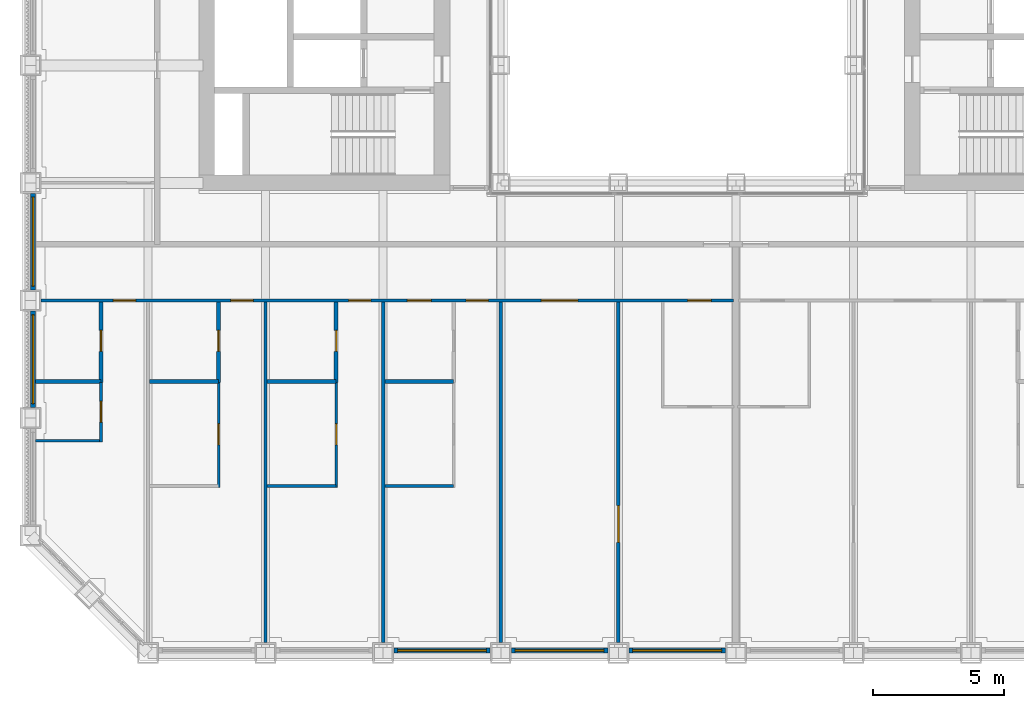
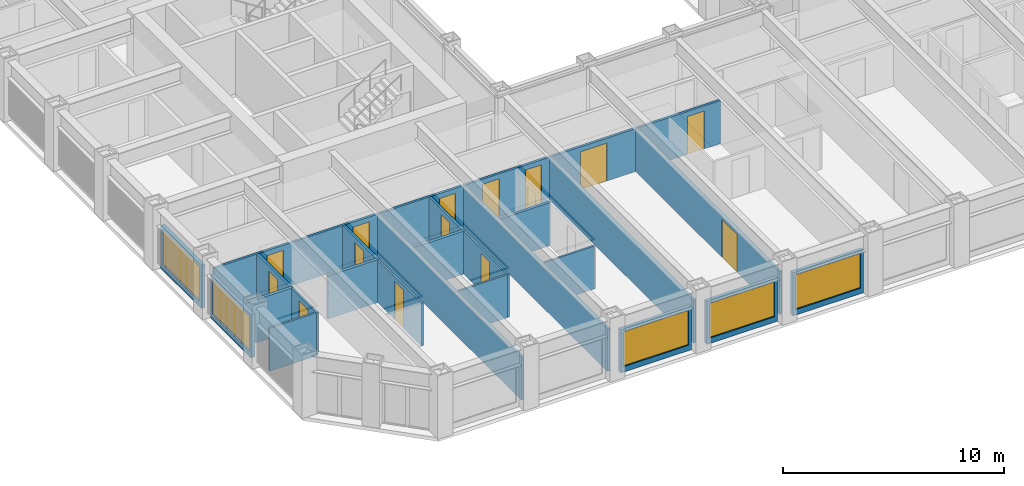
# One storey, part 9 of 21: 23 walls, 14 doors, 5 windows, 19 openings.
"""IFC4 building model written with IfcOpenShell, lengths in metres."""

from ifc_helpers import new_model, si_unit, direction, frame, frame_2d, origin, place, context, subcontext, project, spatial, rectangle, extrude, material, layer, layer_set, type_object, element, fill, save


model = new_model("IFC4")

# Units and contexts
model_context = context("Model", 3, precision=1e-05, world=origin(), true_north=direction((0.0, 1.0)))
body_context = subcontext(model_context, "Body", "Model", "MODEL_VIEW")
ifc_project = project(units=[si_unit("LENGTHUNIT", "METRE"), si_unit("AREAUNIT", "SQUARE_METRE"), si_unit("VOLUMEUNIT", "CUBIC_METRE"), si_unit("PLANEANGLEUNIT", "RADIAN"), si_unit("MASSUNIT", "GRAM", prefix="KILO")], contexts=[model_context])

# Site, building, storey
site_placement = place(None, origin())
site = spatial("IfcSite", under=ifc_project, at=site_placement, CompositionType="ELEMENT")
building_placement = place(site_placement, origin())
building = spatial("IfcBuilding", under=site, at=building_placement, Name="Msasa Ring Tower", CompositionType="ELEMENT")
storey_placement = place(building_placement, frame((0.0, 0.0, 86.0)))
storey = spatial("IfcBuildingStorey", under=building, at=storey_placement, Name="L22", CompositionType="ELEMENT", Elevation=86.0)

# Wall, opening, window
ifc_material_1 = material(Name="Terracotta rainscreen on blockwork", Category="masonry")
ifc_layer_1 = layer(ifc_material_1, 0.199951171875)
ifc_layer_set_1 = layer_set([ifc_layer_1], Name="FW1 TERRACOTTA-LINED INFILL BAY WALL 200")
wall_type_1 = type_object("IfcWallType", Name="FW1 TERRACOTTA-LINED INFILL BAY WALL 200", PredefinedType="SOLIDWALL", material=ifc_layer_set_1)
wall_1_placement = place(storey_placement, frame((-10.844970703125, -24.64990234375, 0.0), z_axis=(0.0, 0.0, 1.0), x_axis=(1.0, 0.0, 0.0)))
wall_1 = element("IfcWall", 1, at=wall_1_placement, inside=storey, type_object=wall_type_1, Name="Infill bay wall S L22 02", PredefinedType="SOLIDWALL", context=body_context, shape_type="SweptSolid", body=[
    extrude(rectangle(XDim=3.68994140625, YDim=0.199951171875, at=frame_2d((1.844970703125, 0.0))), origin(), (0.0, 0.0, 1.0), 2.37890625),
])
opening_1_placement = place(wall_1_placement, frame((0.14501953125, 0.0, 0.300048828125)))
opening_1 = element("IfcOpeningElement", 2, at=opening_1_placement, cuts=wall_1, Name="Opening WN1", PredefinedType="OPENING", context=body_context, shape_type="SweptSolid", body=[
    extrude(rectangle(XDim=3.39990234375, YDim=1.928955078125, at=frame_2d((1.699951171875, 0.96435546875))), frame((0.0, 0.10986328125, 0.0), z_axis=(0.0, -1.0, 0.0), x_axis=(1.0, 0.0, 0.0)), (0.0, 0.0, 1.0), 0.219970703125),
])
ifc_material_2 = material(Name="Aluminium frame with clear glass", Category="aluminium")
window_type = type_object("IfcWindowType", Name="WN1 RESIDENCE WINDOW 3400x1929", PartitioningType="SINGLE_PANEL", PredefinedType="WINDOW", material=ifc_material_2)
window_1_placement = place(opening_1_placement, origin())
window_1 = element("IfcWindow", 3, at=window_1_placement, inside=storey, type_object=window_type, Name="Window S L22 02", OverallHeight=1.928955078125, OverallWidth=3.39990234375, PartitioningType="SINGLE_PANEL", PredefinedType="WINDOW", context=body_context, shape_type="SweptSolid", body=[
    extrude(rectangle(XDim=3.39990234375, YDim=1.928955078125, at=frame_2d((1.699951171875, 0.96435546875))), frame((0.0, 0.030029296875, 0.0), z_axis=(0.0, -1.0, 0.0), x_axis=(1.0, 0.0, 0.0)), (0.0, 0.0, 1.0), 0.06005859375),
])
fill(opening_1, window_1)

wall_2_placement = place(storey_placement, frame((-6.344970703125, -24.64990234375, 0.0), z_axis=(0.0, 0.0, 1.0), x_axis=(1.0, 0.0, 0.0)))
wall_2 = element("IfcWall", 4, at=wall_2_placement, inside=storey, type_object=wall_type_1, Name="Infill bay wall S L22 03", PredefinedType="SOLIDWALL", context=body_context, shape_type="SweptSolid", body=[
    extrude(rectangle(XDim=3.68994140625, YDim=0.199951171875, at=frame_2d((1.844970703125, 0.0))), origin(), (0.0, 0.0, 1.0), 2.37890625),
])
opening_2_placement = place(wall_2_placement, frame((0.14501953125, 0.0, 0.300048828125)))
opening_2 = element("IfcOpeningElement", 5, at=opening_2_placement, cuts=wall_2, Name="Opening WN1", PredefinedType="OPENING", context=body_context, shape_type="SweptSolid", body=[
    extrude(rectangle(XDim=3.39990234375, YDim=1.928955078125, at=frame_2d((1.699951171875, 0.96435546875))), frame((0.0, 0.10986328125, 0.0), z_axis=(0.0, -1.0, 0.0), x_axis=(1.0, 0.0, 0.0)), (0.0, 0.0, 1.0), 0.219970703125),
])
window_2_placement = place(opening_2_placement, origin())
window_2 = element("IfcWindow", 6, at=window_2_placement, inside=storey, type_object=window_type, Name="Window S L22 03", OverallHeight=1.928955078125, OverallWidth=3.39990234375, PartitioningType="SINGLE_PANEL", PredefinedType="WINDOW", context=body_context, shape_type="SweptSolid", body=[
    extrude(rectangle(XDim=3.39990234375, YDim=1.928955078125, at=frame_2d((1.699951171875, 0.96435546875))), frame((0.0, 0.030029296875, 0.0), z_axis=(0.0, -1.0, 0.0), x_axis=(1.0, 0.0, 0.0)), (0.0, 0.0, 1.0), 0.06005859375),
])
fill(opening_2, window_2)

wall_3_placement = place(storey_placement, frame((-1.844970703125, -24.64990234375, 0.0), z_axis=(0.0, 0.0, 1.0), x_axis=(1.0, 0.0, 0.0)))
wall_3 = element("IfcWall", 7, at=wall_3_placement, inside=storey, type_object=wall_type_1, Name="Infill bay wall S L22 04", PredefinedType="SOLIDWALL", context=body_context, shape_type="SweptSolid", body=[
    extrude(rectangle(XDim=3.68994140625, YDim=0.199951171875, at=frame_2d((1.844970703125, 0.0))), origin(), (0.0, 0.0, 1.0), 2.37890625),
])
opening_3_placement = place(wall_3_placement, frame((0.14501953125, 0.0, 0.300048828125)))
opening_3 = element("IfcOpeningElement", 8, at=opening_3_placement, cuts=wall_3, Name="Opening WN1", PredefinedType="OPENING", context=body_context, shape_type="SweptSolid", body=[
    extrude(rectangle(XDim=3.39990234375, YDim=1.928955078125, at=frame_2d((1.699951171875, 0.96435546875))), frame((0.0, 0.10986328125, 0.0), z_axis=(0.0, -1.0, 0.0), x_axis=(1.0, 0.0, 0.0)), (0.0, 0.0, 1.0), 0.219970703125),
])
window_3_placement = place(opening_3_placement, origin())
window_3 = element("IfcWindow", 9, at=window_3_placement, inside=storey, type_object=window_type, Name="Window S L22 04", OverallHeight=1.928955078125, OverallWidth=3.39990234375, PartitioningType="SINGLE_PANEL", PredefinedType="WINDOW", context=body_context, shape_type="SweptSolid", body=[
    extrude(rectangle(XDim=3.39990234375, YDim=1.928955078125, at=frame_2d((1.699951171875, 0.96435546875))), frame((0.0, 0.030029296875, 0.0), z_axis=(0.0, -1.0, 0.0), x_axis=(1.0, 0.0, 0.0)), (0.0, 0.0, 1.0), 0.06005859375),
])
fill(opening_3, window_3)

wall_4_placement = place(storey_placement, frame((-24.64990234375, -15.344970703125, 0.0), z_axis=(0.0, 0.0, 1.0), x_axis=(0.0, 1.0, 0.0)))
wall_4 = element("IfcWall", 10, at=wall_4_placement, inside=storey, type_object=wall_type_1, Name="Infill bay wall W L22 34", PredefinedType="SOLIDWALL", context=body_context, shape_type="SweptSolid", body=[
    extrude(rectangle(XDim=3.68994140625, YDim=0.199951171875, at=frame_2d((1.844970703125, 0.0))), origin(), (0.0, 0.0, 1.0), 2.37890625),
])
opening_4_placement = place(wall_4_placement, frame((0.14501953125, 0.0, 0.300048828125)))
opening_4 = element("IfcOpeningElement", 11, at=opening_4_placement, cuts=wall_4, Name="Opening WN1", PredefinedType="OPENING", context=body_context, shape_type="SweptSolid", body=[
    extrude(rectangle(XDim=3.39990234375, YDim=1.928955078125, at=frame_2d((1.699951171875, 0.96435546875))), frame((0.0, 0.10986328125, 0.0), z_axis=(0.0, -1.0, 0.0), x_axis=(1.0, 0.0, 0.0)), (0.0, 0.0, 1.0), 0.219970703125),
])
window_4_placement = place(opening_4_placement, origin())
window_4 = element("IfcWindow", 12, at=window_4_placement, inside=storey, type_object=window_type, Name="Window W L22 34", OverallHeight=1.928955078125, OverallWidth=3.39990234375, PartitioningType="SINGLE_PANEL", PredefinedType="WINDOW", context=body_context, shape_type="SweptSolid", body=[
    extrude(rectangle(XDim=3.39990234375, YDim=1.928955078125, at=frame_2d((1.699951171875, 0.96435546875))), frame((0.0, 0.030029296875, 0.0), z_axis=(0.0, -1.0, 0.0), x_axis=(1.0, 0.0, 0.0)), (0.0, 0.0, 1.0), 0.06005859375),
])
fill(opening_4, window_4)

wall_5_placement = place(storey_placement, frame((-24.64990234375, -10.844970703125, 0.0), z_axis=(0.0, 0.0, 1.0), x_axis=(0.0, 1.0, 0.0)))
wall_5 = element("IfcWall", 13, at=wall_5_placement, inside=storey, type_object=wall_type_1, Name="Infill bay wall W L22 35", PredefinedType="SOLIDWALL", context=body_context, shape_type="SweptSolid", body=[
    extrude(rectangle(XDim=3.68994140625, YDim=0.199951171875, at=frame_2d((1.844970703125, 0.0))), origin(), (0.0, 0.0, 1.0), 2.37890625),
])
opening_5_placement = place(wall_5_placement, frame((0.14501953125, 0.0, 0.300048828125)))
opening_5 = element("IfcOpeningElement", 14, at=opening_5_placement, cuts=wall_5, Name="Opening WN1", PredefinedType="OPENING", context=body_context, shape_type="SweptSolid", body=[
    extrude(rectangle(XDim=3.39990234375, YDim=1.928955078125, at=frame_2d((1.699951171875, 0.96435546875))), frame((0.0, 0.10986328125, 0.0), z_axis=(0.0, -1.0, 0.0), x_axis=(1.0, 0.0, 0.0)), (0.0, 0.0, 1.0), 0.219970703125),
])
window_5_placement = place(opening_5_placement, origin())
window_5 = element("IfcWindow", 15, at=window_5_placement, inside=storey, type_object=window_type, Name="Window W L22 35", OverallHeight=1.928955078125, OverallWidth=3.39990234375, PartitioningType="SINGLE_PANEL", PredefinedType="WINDOW", context=body_context, shape_type="SweptSolid", body=[
    extrude(rectangle(XDim=3.39990234375, YDim=1.928955078125, at=frame_2d((1.699951171875, 0.96435546875))), frame((0.0, 0.030029296875, 0.0), z_axis=(0.0, -1.0, 0.0), x_axis=(1.0, 0.0, 0.0)), (0.0, 0.0, 1.0), 0.06005859375),
])
fill(opening_5, window_5)

# Wall
ifc_material_3 = material(Name="Gypsum board on steel studs", Category="steel")
ifc_layer_2 = layer(ifc_material_3, 0.10009765625)
ifc_layer_set_2 = layer_set([ifc_layer_2], Name="PT2 STUD PARTITION 100")
wall_type_2 = type_object("IfcWallType", Name="PT2 STUD PARTITION 100", PredefinedType="PARTITIONING", material=ifc_layer_set_2)
wall_6_placement = place(storey_placement, frame((-11.18994140625, -18.35302734375, 0.0), z_axis=(0.0, 0.0, 1.0), x_axis=(1.0, 0.0, 0.0)))
element("IfcWall", 16, at=wall_6_placement, inside=storey, type_object=wall_type_2, Name="Partition L22-VSWWY1", PredefinedType="PARTITIONING", context=body_context, shape_type="SweptSolid", body=[
    extrude(rectangle(XDim=2.639892578125, YDim=0.10009765625, at=frame_2d((1.31982421875, 0.0))), origin(), (0.0, 0.0, 1.0), 2.373291015625),
])

# Wall, opening, door
wall_7_placement = place(storey_placement, frame((-13.050048828125, -18.403076171875, 0.0), z_axis=(0.0, 0.0, 1.0), x_axis=(0.0, 1.0, 0.0)))
wall_7 = element("IfcWall", 17, at=wall_7_placement, inside=storey, type_object=wall_type_2, Name="Partition L22-VSWWX2", PredefinedType="PARTITIONING", context=body_context, shape_type="SweptSolid", body=[
    extrude(rectangle(XDim=4.003173828125, YDim=0.10009765625, at=frame_2d((2.00146484375, 0.0))), origin(), (0.0, 0.0, 1.0), 2.373291015625),
])
opening_6_placement = place(wall_7_placement, frame((1.626708984375, 0.0, 0.0)))
opening_6 = element("IfcOpeningElement", 18, at=opening_6_placement, cuts=wall_7, Name="Opening RF-081", PredefinedType="OPENING", context=body_context, shape_type="SweptSolid", body=[
    extrude(rectangle(XDim=0.800048828125, YDim=2.10009765625, at=frame_2d((0.39990234375, 1.050048828125))), frame((0.0, 0.06005859375, 0.0), z_axis=(0.0, -1.0, 0.0), x_axis=(1.0, 0.0, 0.0)), (0.0, 0.0, 1.0), 0.1201171875),
])
ifc_material_4 = material(Name="Timber door leaf in a steel frame", Category="steel")
door_type_1 = type_object("IfcDoorType", Name="D60 DRESSING ROOM DOOR 800x2100", OperationType="SINGLE_SWING_LEFT", PredefinedType="DOOR", material=ifc_material_4)
door_1_placement = place(opening_6_placement, origin())
door_1 = element("IfcDoor", 19, at=door_1_placement, inside=storey, type_object=door_type_1, Name="Door L22-VSWW2", OperationType="SINGLE_SWING_LEFT", OverallHeight=2.10009765625, OverallWidth=0.800048828125, PredefinedType="DOOR", context=body_context, shape_type="SweptSolid", body=[
    extrude(rectangle(XDim=0.800048828125, YDim=2.10009765625, at=frame_2d((0.39990234375, 1.050048828125))), frame((0.0, 0.02490234375, 0.0), z_axis=(0.0, -1.0, 0.0), x_axis=(1.0, 0.0, 0.0)), (0.0, 0.0, 1.0), 0.050048828125),
])
fill(opening_6, door_1)

# Wall
wall_8_placement = place(storey_placement, frame((-15.68994140625, -18.35302734375, 0.0), z_axis=(0.0, 0.0, 1.0), x_axis=(1.0, 0.0, 0.0)))
element("IfcWall", 20, at=wall_8_placement, inside=storey, type_object=wall_type_2, Name="Partition L22-VSWWY2", PredefinedType="PARTITIONING", context=body_context, shape_type="SweptSolid", body=[
    extrude(rectangle(XDim=2.639892578125, YDim=0.10009765625, at=frame_2d((1.31982421875, 0.0))), origin(), (0.0, 0.0, 1.0), 2.373291015625),
])

# Wall, opening, door
wall_9_placement = place(storey_placement, frame((-17.550048828125, -18.400390625, 0.0), z_axis=(0.0, 0.0, 1.0), x_axis=(0.0, 1.0, 0.0)))
wall_9 = element("IfcWall", 21, at=wall_9_placement, inside=storey, type_object=wall_type_2, Name="Partition L22-VSWWX3", PredefinedType="PARTITIONING", context=body_context, shape_type="SweptSolid", body=[
    extrude(rectangle(XDim=4.00048828125, YDim=0.10009765625, at=frame_2d((2.000244140625, 0.0))), origin(), (0.0, 0.0, 1.0), 2.373291015625),
])
opening_7_placement = place(wall_9_placement, frame((1.625244140625, 0.0, 0.0)))
opening_7 = element("IfcOpeningElement", 22, at=opening_7_placement, cuts=wall_9, Name="Opening RF-080", PredefinedType="OPENING", context=body_context, shape_type="SweptSolid", body=[
    extrude(rectangle(XDim=0.800048828125, YDim=2.10009765625, at=frame_2d((0.39990234375, 1.050048828125))), frame((0.0, 0.06005859375, 0.0), z_axis=(0.0, -1.0, 0.0), x_axis=(1.0, 0.0, 0.0)), (0.0, 0.0, 1.0), 0.1201171875),
])
door_2_placement = place(opening_7_placement, origin())
door_2 = element("IfcDoor", 23, at=door_2_placement, inside=storey, type_object=door_type_1, Name="Door L22-VSWW3", OperationType="SINGLE_SWING_LEFT", OverallHeight=2.10009765625, OverallWidth=0.800048828125, PredefinedType="DOOR", context=body_context, shape_type="SweptSolid", body=[
    extrude(rectangle(XDim=0.800048828125, YDim=2.10009765625, at=frame_2d((0.39990234375, 1.050048828125))), frame((0.0, 0.02490234375, 0.0), z_axis=(0.0, -1.0, 0.0), x_axis=(1.0, 0.0, 0.0)), (0.0, 0.0, 1.0), 0.050048828125),
])
fill(opening_7, door_2)

wall_10_placement = place(storey_placement, frame((-22.050048828125, -16.673583984375, 0.0), z_axis=(0.0, 0.0, 1.0), x_axis=(0.0, 1.0, 0.0)))
wall_10 = element("IfcWall", 24, at=wall_10_placement, inside=storey, type_object=wall_type_2, Name="Partition L22-VSWWX4", PredefinedType="PARTITIONING", context=body_context, shape_type="SweptSolid", body=[
    extrude(rectangle(XDim=2.273681640625, YDim=0.10009765625, at=frame_2d((1.13671875, 0.0))), origin(), (0.0, 0.0, 1.0), 2.373291015625),
])
opening_8_placement = place(wall_10_placement, frame((0.76171875, 0.0, 0.0)))
opening_8 = element("IfcOpeningElement", 25, at=opening_8_placement, cuts=wall_10, Name="Opening RF-078", PredefinedType="OPENING", context=body_context, shape_type="SweptSolid", body=[
    extrude(rectangle(XDim=0.800048828125, YDim=2.10009765625, at=frame_2d((0.39990234375, 1.050048828125))), frame((0.0, 0.06005859375, 0.0), z_axis=(0.0, -1.0, 0.0), x_axis=(1.0, 0.0, 0.0)), (0.0, 0.0, 1.0), 0.1201171875),
])
door_3_placement = place(opening_8_placement, origin())
door_3 = element("IfcDoor", 26, at=door_3_placement, inside=storey, type_object=door_type_1, Name="Door L22-VSWW4", OperationType="SINGLE_SWING_LEFT", OverallHeight=2.10009765625, OverallWidth=0.800048828125, PredefinedType="DOOR", context=body_context, shape_type="SweptSolid", body=[
    extrude(rectangle(XDim=0.800048828125, YDim=2.10009765625, at=frame_2d((0.39990234375, 1.050048828125))), frame((0.0, 0.02490234375, 0.0), z_axis=(0.0, -1.0, 0.0), x_axis=(1.0, 0.0, 0.0)), (0.0, 0.0, 1.0), 0.050048828125),
])
fill(opening_8, door_3)

# Walls
wall_11_placement = place(storey_placement, frame((-24.550048828125, -16.62353515625, 0.0), z_axis=(0.0, 0.0, 1.0), x_axis=(1.0, 0.0, 0.0)))
element("IfcWall", 27, at=wall_11_placement, inside=storey, type_object=wall_type_2, Name="Partition L22-VSWWY4", PredefinedType="PARTITIONING", context=body_context, shape_type="SweptSolid", body=[
    extrude(rectangle(XDim=2.5, YDim=0.10009765625, at=frame_2d((1.25, 0.0))), origin(), (0.0, 0.0, 1.0), 2.373291015625),
])
ifc_material_5 = material(Name="Moisture-resistant board on steel studs with a concealed cistern and pipe void, tiled", Category="steel")
ifc_layer_3 = layer(ifc_material_5, 0.14990234375)
ifc_layer_set_3 = layer_set([ifc_layer_3], Name="PT4 BATHROOM WET WALL 150")
wall_type_3 = type_object("IfcWallType", Name="PT4 BATHROOM WET WALL 150", PredefinedType="PARTITIONING", material=ifc_layer_set_3)
wall_12_placement = place(storey_placement, frame((-11.18994140625, -14.35009765625, 0.0), z_axis=(0.0, 0.0, 1.0), x_axis=(1.0, 0.0, 0.0)))
element("IfcWall", 28, at=wall_12_placement, inside=storey, type_object=wall_type_3, Name="Partition L22-VSWBY1", PredefinedType="PARTITIONING", context=body_context, shape_type="SweptSolid", body=[
    extrude(rectangle(XDim=2.639892578125, YDim=0.14990234375, at=frame_2d((1.31982421875, 0.0))), origin(), (0.0, 0.0, 1.0), 2.373291015625),
])

# Wall, opening, door
wall_13_placement = place(storey_placement, frame((-13.050048828125, -14.39990234375, 0.0), z_axis=(0.0, 0.0, 1.0), x_axis=(0.0, 1.0, 0.0)))
wall_13 = element("IfcWall", 29, at=wall_13_placement, inside=storey, type_object=wall_type_3, Name="Partition L22-VSWBX2", PredefinedType="PARTITIONING", context=body_context, shape_type="SweptSolid", body=[
    extrude(rectangle(XDim=3.08740234375, YDim=0.14990234375, at=frame_2d((1.543701171875, 0.0))), origin(), (0.0, 0.0, 1.0), 2.373291015625),
])
opening_9_placement = place(wall_13_placement, frame((1.199951171875, 0.0, 0.0)))
opening_9 = element("IfcOpeningElement", 30, at=opening_9_placement, cuts=wall_13, Name="Opening RF-071", PredefinedType="OPENING", context=body_context, shape_type="SweptSolid", body=[
    extrude(rectangle(XDim=0.800048828125, YDim=2.10009765625, at=frame_2d((0.39990234375, 1.050048828125))), frame((0.0, 0.0849609375, 0.0), z_axis=(0.0, -1.0, 0.0), x_axis=(1.0, 0.0, 0.0)), (0.0, 0.0, 1.0), 0.169921875),
])
ifc_material_6 = material(Name="Timber door leaf in a steel frame", Category="steel")
door_type_2 = type_object("IfcDoorType", Name="D21 POCKET SLIDING BATHROOM DOOR 800x2100", OperationType="SINGLE_SWING_LEFT", PredefinedType="DOOR", material=ifc_material_6)
door_4_placement = place(opening_9_placement, origin())
door_4 = element("IfcDoor", 31, at=door_4_placement, inside=storey, type_object=door_type_2, Name="Door L22-VSWB2", OperationType="SINGLE_SWING_RIGHT", OverallHeight=2.10009765625, OverallWidth=0.800048828125, PredefinedType="DOOR", context=body_context, shape_type="SweptSolid", body=[
    extrude(rectangle(XDim=0.800048828125, YDim=2.10009765625, at=frame_2d((0.39990234375, 1.050048828125))), frame((0.0, 0.02490234375, 0.0), z_axis=(0.0, -1.0, 0.0), x_axis=(1.0, 0.0, 0.0)), (0.0, 0.0, 1.0), 0.050048828125),
])
fill(opening_9, door_4)

# Wall
wall_14_placement = place(storey_placement, frame((-15.68994140625, -14.35009765625, 0.0), z_axis=(0.0, 0.0, 1.0), x_axis=(1.0, 0.0, 0.0)))
element("IfcWall", 32, at=wall_14_placement, inside=storey, type_object=wall_type_3, Name="Partition L22-VSWBY2", PredefinedType="PARTITIONING", context=body_context, shape_type="SweptSolid", body=[
    extrude(rectangle(XDim=2.639892578125, YDim=0.14990234375, at=frame_2d((1.31982421875, 0.0))), origin(), (0.0, 0.0, 1.0), 2.373291015625),
])

# Wall, opening, door
wall_15_placement = place(storey_placement, frame((-17.550048828125, -14.39990234375, 0.0), z_axis=(0.0, 0.0, 1.0), x_axis=(0.0, 1.0, 0.0)))
wall_15 = element("IfcWall", 33, at=wall_15_placement, inside=storey, type_object=wall_type_3, Name="Partition L22-VSWBX3", PredefinedType="PARTITIONING", context=body_context, shape_type="SweptSolid", body=[
    extrude(rectangle(XDim=3.08740234375, YDim=0.14990234375, at=frame_2d((1.543701171875, 0.0))), origin(), (0.0, 0.0, 1.0), 2.373291015625),
])
opening_10_placement = place(wall_15_placement, frame((1.199951171875, 0.0, 0.0)))
opening_10 = element("IfcOpeningElement", 34, at=opening_10_placement, cuts=wall_15, Name="Opening RF-070", PredefinedType="OPENING", context=body_context, shape_type="SweptSolid", body=[
    extrude(rectangle(XDim=0.800048828125, YDim=2.10009765625, at=frame_2d((0.39990234375, 1.050048828125))), frame((0.0, 0.0849609375, 0.0), z_axis=(0.0, -1.0, 0.0), x_axis=(1.0, 0.0, 0.0)), (0.0, 0.0, 1.0), 0.169921875),
])
door_5_placement = place(opening_10_placement, origin())
door_5 = element("IfcDoor", 35, at=door_5_placement, inside=storey, type_object=door_type_2, Name="Door L22-VSWB3", OperationType="SINGLE_SWING_RIGHT", OverallHeight=2.10009765625, OverallWidth=0.800048828125, PredefinedType="DOOR", context=body_context, shape_type="SweptSolid", body=[
    extrude(rectangle(XDim=0.800048828125, YDim=2.10009765625, at=frame_2d((0.39990234375, 1.050048828125))), frame((0.0, 0.02490234375, 0.0), z_axis=(0.0, -1.0, 0.0), x_axis=(1.0, 0.0, 0.0)), (0.0, 0.0, 1.0), 0.050048828125),
])
fill(opening_10, door_5)

# Wall
wall_16_placement = place(storey_placement, frame((-20.18994140625, -14.35009765625, 0.0), z_axis=(0.0, 0.0, 1.0), x_axis=(1.0, 0.0, 0.0)))
element("IfcWall", 36, at=wall_16_placement, inside=storey, type_object=wall_type_3, Name="Partition L22-VSWBY3", PredefinedType="PARTITIONING", context=body_context, shape_type="SweptSolid", body=[
    extrude(rectangle(XDim=2.639892578125, YDim=0.14990234375, at=frame_2d((1.31982421875, 0.0))), origin(), (0.0, 0.0, 1.0), 2.373291015625),
])

# Wall, opening, door
wall_17_placement = place(storey_placement, frame((-22.050048828125, -14.39990234375, 0.0), z_axis=(0.0, 0.0, 1.0), x_axis=(0.0, 1.0, 0.0)))
wall_17 = element("IfcWall", 37, at=wall_17_placement, inside=storey, type_object=wall_type_3, Name="Partition L22-VSWBX4", PredefinedType="PARTITIONING", context=body_context, shape_type="SweptSolid", body=[
    extrude(rectangle(XDim=3.08740234375, YDim=0.14990234375, at=frame_2d((1.543701171875, 0.0))), origin(), (0.0, 0.0, 1.0), 2.373291015625),
])
opening_11_placement = place(wall_17_placement, frame((1.199951171875, 0.0, 0.0)))
opening_11 = element("IfcOpeningElement", 38, at=opening_11_placement, cuts=wall_17, Name="Opening RF-069", PredefinedType="OPENING", context=body_context, shape_type="SweptSolid", body=[
    extrude(rectangle(XDim=0.800048828125, YDim=2.10009765625, at=frame_2d((0.39990234375, 1.050048828125))), frame((0.0, 0.0849609375, 0.0), z_axis=(0.0, -1.0, 0.0), x_axis=(1.0, 0.0, 0.0)), (0.0, 0.0, 1.0), 0.169921875),
])
door_6_placement = place(opening_11_placement, origin())
door_6 = element("IfcDoor", 39, at=door_6_placement, inside=storey, type_object=door_type_2, Name="Door L22-VSWB4", OperationType="SINGLE_SWING_RIGHT", OverallHeight=2.10009765625, OverallWidth=0.800048828125, PredefinedType="DOOR", context=body_context, shape_type="SweptSolid", body=[
    extrude(rectangle(XDim=0.800048828125, YDim=2.10009765625, at=frame_2d((0.39990234375, 1.050048828125))), frame((0.0, 0.02490234375, 0.0), z_axis=(0.0, -1.0, 0.0), x_axis=(1.0, 0.0, 0.0)), (0.0, 0.0, 1.0), 0.050048828125),
])
fill(opening_11, door_6)

# Wall
wall_18_placement = place(storey_placement, frame((-24.550048828125, -14.35009765625, 0.0), z_axis=(0.0, 0.0, 1.0), x_axis=(1.0, 0.0, 0.0)))
element("IfcWall", 40, at=wall_18_placement, inside=storey, type_object=wall_type_3, Name="Partition L22-VSWBY4", PredefinedType="PARTITIONING", context=body_context, shape_type="SweptSolid", body=[
    extrude(rectangle(XDim=2.5, YDim=0.14990234375, at=frame_2d((1.25, 0.0))), origin(), (0.0, 0.0, 1.0), 2.373291015625),
])

# Wall, openings, doors
ifc_material_7 = material(Name="Two layers of acoustic board each face on steel studs, mineral wool", Category="steel")
ifc_layer_4 = layer(ifc_material_7, 0.125)
ifc_layer_set_4 = layer_set([ifc_layer_4], Name="PT6 ACOUSTIC DOUBLE-BOARD PARTITION 125")
wall_type_4 = type_object("IfcWallType", Name="PT6 ACOUSTIC DOUBLE-BOARD PARTITION 125", PredefinedType="PARTITIONING", material=ifc_layer_set_4)
wall_19_placement = place(storey_placement, frame((-24.35009765625, -11.25, 0.0), z_axis=(0.0, 0.0, 1.0), x_axis=(1.0, 0.0, 0.0)))
wall_19 = element("IfcWall", 41, at=wall_19_placement, inside=storey, type_object=wall_type_4, Name="Partition L22-VSWHY", PredefinedType="PARTITIONING", context=body_context, shape_type="SweptSolid", body=[
    extrude(rectangle(XDim=26.5, YDim=0.125, at=frame_2d((13.25, 0.0))), origin(), (0.0, 0.0, 1.0), 2.373291015625),
])
opening_12_placement = place(wall_19_placement, frame((24.75, 0.0, 0.0)))
opening_12 = element("IfcOpeningElement", 42, at=opening_12_placement, cuts=wall_19, Name="Opening RF-062", PredefinedType="OPENING", context=body_context, shape_type="SweptSolid", body=[
    extrude(rectangle(XDim=0.89990234375, YDim=2.10009765625, at=frame_2d((0.449951171875, 1.050048828125))), frame((0.0, 0.072509765625, 0.0), z_axis=(0.0, -1.0, 0.0), x_axis=(1.0, 0.0, 0.0)), (0.0, 0.0, 1.0), 0.14501953125),
])
opening_13_placement = place(wall_19_placement, frame((19.14990234375, 0.0, 0.0)))
opening_13 = element("IfcOpeningElement", 43, at=opening_13_placement, cuts=wall_19, Name="Opening RF-061", PredefinedType="OPENING", context=body_context, shape_type="SweptSolid", body=[
    extrude(rectangle(XDim=1.39990234375, YDim=2.10009765625, at=frame_2d((0.699951171875, 1.050048828125))), frame((0.0, 0.072509765625, 0.0), z_axis=(0.0, -1.0, 0.0), x_axis=(1.0, 0.0, 0.0)), (0.0, 0.0, 1.0), 0.14501953125),
])
opening_14_placement = place(wall_19_placement, frame((16.27490234375, 0.0, 0.0)))
opening_14 = element("IfcOpeningElement", 44, at=opening_14_placement, cuts=wall_19, Name="Opening RF-060", PredefinedType="OPENING", context=body_context, shape_type="SweptSolid", body=[
    extrude(rectangle(XDim=0.85009765625, YDim=2.10009765625, at=frame_2d((0.425048828125, 1.050048828125))), frame((0.0, 0.072509765625, 0.0), z_axis=(0.0, -1.0, 0.0), x_axis=(1.0, 0.0, 0.0)), (0.0, 0.0, 1.0), 0.14501953125),
])
opening_15_placement = place(wall_19_placement, frame((14.030029296875, 0.0, 0.0)))
opening_15 = element("IfcOpeningElement", 45, at=opening_15_placement, cuts=wall_19, Name="Opening RF-059", PredefinedType="OPENING", context=body_context, shape_type="SweptSolid", body=[
    extrude(rectangle(XDim=0.89990234375, YDim=2.10009765625, at=frame_2d((0.449951171875, 1.050048828125))), frame((0.0, 0.072509765625, 0.0), z_axis=(0.0, -1.0, 0.0), x_axis=(1.0, 0.0, 0.0)), (0.0, 0.0, 1.0), 0.14501953125),
])
opening_16_placement = place(wall_19_placement, frame((11.77490234375, 0.0, 0.0)))
opening_16 = element("IfcOpeningElement", 46, at=opening_16_placement, cuts=wall_19, Name="Opening RF-058", PredefinedType="OPENING", context=body_context, shape_type="SweptSolid", body=[
    extrude(rectangle(XDim=0.85009765625, YDim=2.10009765625, at=frame_2d((0.425048828125, 1.050048828125))), frame((0.0, 0.072509765625, 0.0), z_axis=(0.0, -1.0, 0.0), x_axis=(1.0, 0.0, 0.0)), (0.0, 0.0, 1.0), 0.14501953125),
])
opening_17_placement = place(wall_19_placement, frame((7.27490234375, 0.0, 0.0)))
opening_17 = element("IfcOpeningElement", 47, at=opening_17_placement, cuts=wall_19, Name="Opening RF-057", PredefinedType="OPENING", context=body_context, shape_type="SweptSolid", body=[
    extrude(rectangle(XDim=0.85009765625, YDim=2.10009765625, at=frame_2d((0.425048828125, 1.050048828125))), frame((0.0, 0.072509765625, 0.0), z_axis=(0.0, -1.0, 0.0), x_axis=(1.0, 0.0, 0.0)), (0.0, 0.0, 1.0), 0.14501953125),
])
opening_18_placement = place(wall_19_placement, frame((2.77490234375, 0.0, 0.0)))
opening_18 = element("IfcOpeningElement", 48, at=opening_18_placement, cuts=wall_19, Name="Opening RF-056", PredefinedType="OPENING", context=body_context, shape_type="SweptSolid", body=[
    extrude(rectangle(XDim=0.85009765625, YDim=2.10009765625, at=frame_2d((0.425048828125, 1.050048828125))), frame((0.0, 0.072509765625, 0.0), z_axis=(0.0, -1.0, 0.0), x_axis=(1.0, 0.0, 0.0)), (0.0, 0.0, 1.0), 0.14501953125),
])
ifc_material_8 = material(Name="Timber door leaf in a steel frame", Category="steel")
door_type_3 = type_object("IfcDoorType", Name="D14 BEDROOM DOOR 850x2100", OperationType="SINGLE_SWING_LEFT", PredefinedType="DOOR", material=ifc_material_8)
door_7_placement = place(opening_14_placement, origin())
door_7 = element("IfcDoor", 49, at=door_7_placement, inside=storey, type_object=door_type_3, Name="Door L22-VSWR1", OperationType="SINGLE_SWING_RIGHT", OverallHeight=2.10009765625, OverallWidth=0.85009765625, PredefinedType="DOOR", context=body_context, shape_type="SweptSolid", body=[
    extrude(rectangle(XDim=0.85009765625, YDim=2.10009765625, at=frame_2d((0.425048828125, 1.050048828125))), frame((0.0, 0.02490234375, 0.0), z_axis=(0.0, -1.0, 0.0), x_axis=(1.0, 0.0, 0.0)), (0.0, 0.0, 1.0), 0.050048828125),
])
fill(opening_14, door_7)
door_8_placement = place(opening_16_placement, origin())
door_8 = element("IfcDoor", 50, at=door_8_placement, inside=storey, type_object=door_type_3, Name="Door L22-VSWR2", OperationType="SINGLE_SWING_LEFT", OverallHeight=2.10009765625, OverallWidth=0.85009765625, PredefinedType="DOOR", context=body_context, shape_type="SweptSolid", body=[
    extrude(rectangle(XDim=0.85009765625, YDim=2.10009765625, at=frame_2d((0.425048828125, 1.050048828125))), frame((0.0, 0.02490234375, 0.0), z_axis=(0.0, -1.0, 0.0), x_axis=(1.0, 0.0, 0.0)), (0.0, 0.0, 1.0), 0.050048828125),
])
fill(opening_16, door_8)
door_9_placement = place(opening_17_placement, origin())
door_9 = element("IfcDoor", 51, at=door_9_placement, inside=storey, type_object=door_type_3, Name="Door L22-VSWR3", OperationType="SINGLE_SWING_LEFT", OverallHeight=2.10009765625, OverallWidth=0.85009765625, PredefinedType="DOOR", context=body_context, shape_type="SweptSolid", body=[
    extrude(rectangle(XDim=0.85009765625, YDim=2.10009765625, at=frame_2d((0.425048828125, 1.050048828125))), frame((0.0, 0.02490234375, 0.0), z_axis=(0.0, -1.0, 0.0), x_axis=(1.0, 0.0, 0.0)), (0.0, 0.0, 1.0), 0.050048828125),
])
fill(opening_17, door_9)
door_10_placement = place(opening_18_placement, origin())
door_10 = element("IfcDoor", 52, at=door_10_placement, inside=storey, type_object=door_type_3, Name="Door L22-VSWR4", OperationType="SINGLE_SWING_LEFT", OverallHeight=2.10009765625, OverallWidth=0.85009765625, PredefinedType="DOOR", context=body_context, shape_type="SweptSolid", body=[
    extrude(rectangle(XDim=0.85009765625, YDim=2.10009765625, at=frame_2d((0.425048828125, 1.050048828125))), frame((0.0, 0.02490234375, 0.0), z_axis=(0.0, -1.0, 0.0), x_axis=(1.0, 0.0, 0.0)), (0.0, 0.0, 1.0), 0.050048828125),
])
fill(opening_18, door_10)
ifc_material_9 = material(Name="Timber door leaf in a steel frame", Category="steel")
door_type_4 = type_object("IfcDoorType", Name="D15 LIVING ROOM PAIR OF GLAZED DOORS 1400x2100", OperationType="SINGLE_SWING_LEFT", PredefinedType="DOOR", material=ifc_material_9)
door_11_placement = place(opening_13_placement, origin())
door_11 = element("IfcDoor", 53, at=door_11_placement, inside=storey, type_object=door_type_4, Name="Door L22-VSWL", OperationType="SINGLE_SWING_RIGHT", OverallHeight=2.10009765625, OverallWidth=1.39990234375, PredefinedType="DOOR", context=body_context, shape_type="SweptSolid", body=[
    extrude(rectangle(XDim=1.39990234375, YDim=2.10009765625, at=frame_2d((0.699951171875, 1.050048828125))), frame((0.0, 0.02490234375, 0.0), z_axis=(0.0, -1.0, 0.0), x_axis=(1.0, 0.0, 0.0)), (0.0, 0.0, 1.0), 0.050048828125),
])
fill(opening_13, door_11)
ifc_material_10 = material(Name="Timber door leaf in a steel frame", Category="steel")
door_type_5 = type_object("IfcDoorType", Name="D22 INTERNAL HALL DOOR 900x2100", OperationType="SINGLE_SWING_LEFT", PredefinedType="DOOR", material=ifc_material_10)
door_12_placement = place(opening_12_placement, origin())
door_12 = element("IfcDoor", 54, at=door_12_placement, inside=storey, type_object=door_type_5, Name="Door L22-VSWK", OperationType="SINGLE_SWING_RIGHT", OverallHeight=2.10009765625, OverallWidth=0.89990234375, PredefinedType="DOOR", context=body_context, shape_type="SweptSolid", body=[
    extrude(rectangle(XDim=0.89990234375, YDim=2.10009765625, at=frame_2d((0.449951171875, 1.050048828125))), frame((0.0, 0.02490234375, 0.0), z_axis=(0.0, -1.0, 0.0), x_axis=(1.0, 0.0, 0.0)), (0.0, 0.0, 1.0), 0.050048828125),
])
fill(opening_12, door_12)
ifc_material_11 = material(Name="Timber door leaf in a steel frame", Category="steel")
door_type_6 = type_object("IfcDoorType", Name="D3 BATHROOM DOOR 900x2100", OperationType="SINGLE_SWING_LEFT", PredefinedType="DOOR", material=ifc_material_11)
door_13_placement = place(opening_15_placement, origin())
door_13 = element("IfcDoor", 55, at=door_13_placement, inside=storey, type_object=door_type_6, Name="Door L22-VSWBH1", OperationType="SINGLE_SWING_RIGHT", OverallHeight=2.10009765625, OverallWidth=0.89990234375, PredefinedType="DOOR", context=body_context, shape_type="SweptSolid", body=[
    extrude(rectangle(XDim=0.89990234375, YDim=2.10009765625, at=frame_2d((0.449951171875, 1.050048828125))), frame((0.0, 0.02490234375, 0.0), z_axis=(0.0, -1.0, 0.0), x_axis=(1.0, 0.0, 0.0)), (0.0, 0.0, 1.0), 0.050048828125),
])
fill(opening_15, door_13)

# Wall, opening, door
wall_20_placement = place(storey_placement, frame((-2.25, -24.35009765625, 0.0), z_axis=(0.0, 0.0, 1.0), x_axis=(0.0, 1.0, 0.0)))
wall_20 = element("IfcWall", 56, at=wall_20_placement, inside=storey, type_object=wall_type_4, Name="Partition L22-VSWLM", PredefinedType="PARTITIONING", context=body_context, shape_type="SweptSolid", body=[
    extrude(rectangle(XDim=13.03759765625, YDim=0.125, at=frame_2d((6.518798828125, 0.0))), origin(), (0.0, 0.0, 1.0), 2.373291015625),
])
opening_19_placement = place(wall_20_placement, frame((3.84375, 0.0, 0.0)))
opening_19 = element("IfcOpeningElement", 57, at=opening_19_placement, cuts=wall_20, Name="Opening RF-085", PredefinedType="OPENING", context=body_context, shape_type="SweptSolid", body=[
    extrude(rectangle(XDim=1.39990234375, YDim=2.10009765625, at=frame_2d((0.699951171875, 1.050048828125))), frame((0.0, 0.072509765625, 0.0), z_axis=(0.0, -1.0, 0.0), x_axis=(1.0, 0.0, 0.0)), (0.0, 0.0, 1.0), 0.14501953125),
])
door_14_placement = place(opening_19_placement, origin())
door_14 = element("IfcDoor", 58, at=door_14_placement, inside=storey, type_object=door_type_4, Name="Door L22-VSWLD", OperationType="SINGLE_SWING_LEFT", OverallHeight=2.10009765625, OverallWidth=1.39990234375, PredefinedType="DOOR", context=body_context, shape_type="SweptSolid", body=[
    extrude(rectangle(XDim=1.39990234375, YDim=2.10009765625, at=frame_2d((0.699951171875, 1.050048828125))), frame((0.0, 0.02490234375, 0.0), z_axis=(0.0, -1.0, 0.0), x_axis=(1.0, 0.0, 0.0)), (0.0, 0.0, 1.0), 0.050048828125),
])
fill(opening_19, door_14)

# Walls
for number, where, z_axis, x_axis, name in (
    (59, (-6.75, -24.35009765625, 0.0), (0.0, 0.0, 1.0), (0.0, 1.0, 0.0), "Partition L22-VSWP1"),
    (60, (-11.25, -24.35009765625, 0.0), (0.0, 0.0, 1.0), (0.0, 1.0, 0.0), "Partition L22-VSWP2"),
    (61, (-15.75, -24.35009765625, 0.0), (0.0, 0.0, 1.0), (0.0, 1.0, 0.0), "Partition L22-VSWP3"),
):
    element("IfcWall", number, at=place(storey_placement, frame(where, z_axis=z_axis, x_axis=x_axis)), inside=storey, type_object=wall_type_4, Name=name, PredefinedType="PARTITIONING", context=body_context, shape_type="SweptSolid", body=[
        extrude(rectangle(XDim=13.03759765625, YDim=0.125, at=frame_2d((6.518798828125, 0.0))), origin(), (0.0, 0.0, 1.0), 2.373291015625),
    ])

save(model, "model.ifc")
